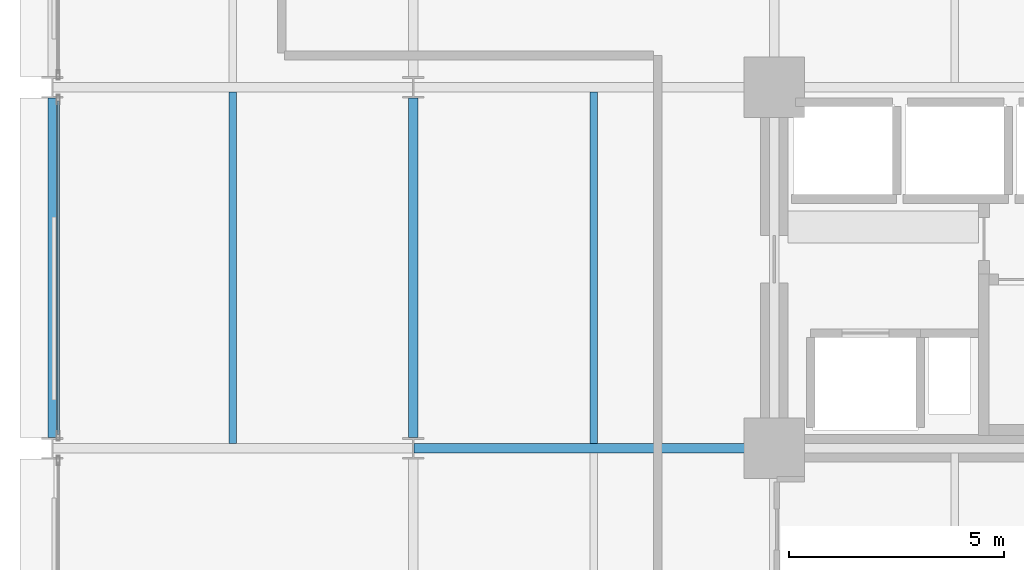
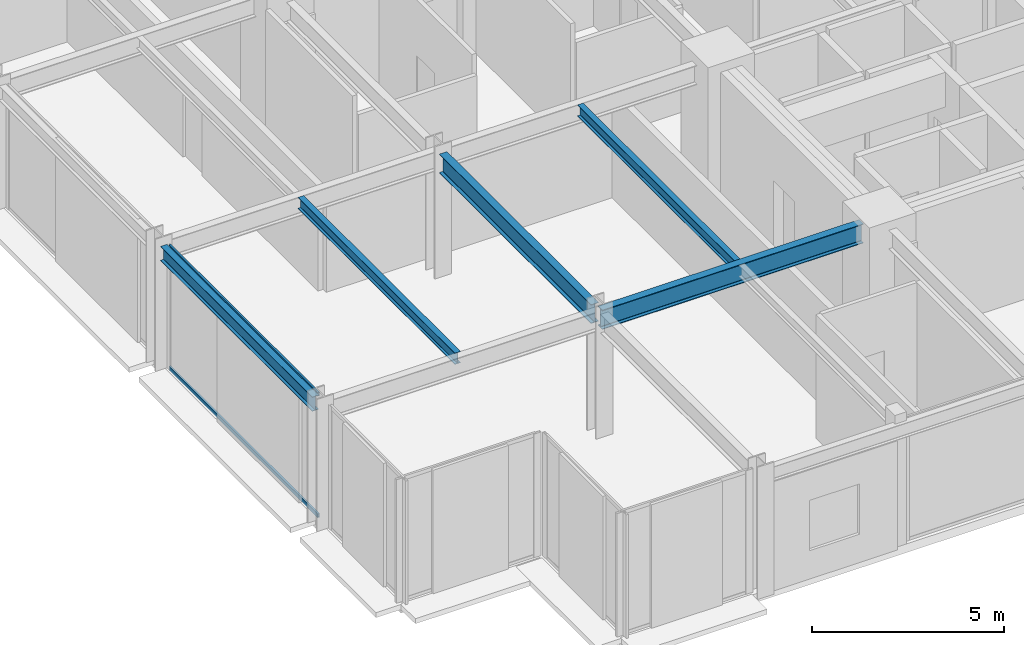
# One storey, part 3 of 25: 5 beams, 2 members, 1 element without a shape of its own.
"""IFC4 building model written with IfcOpenShell, lengths in metres."""

from ifc_helpers import new_model, si_unit, direction, frame, origin, origin_2d, place, context, subcontext, project, spatial, hollow_rectangle, i_section, extrude, material, layer, layer_set, material_profile, profile_set, type_object, element, aggregate, save


model = new_model("IFC4")

# Units and contexts
model_context = context("Model", 3, precision=1e-05, world=origin(), true_north=direction((0.0, 1.0)))
body_context = subcontext(model_context, "Body", "Model", "MODEL_VIEW")
ifc_project = project(units=[si_unit("LENGTHUNIT", "METRE"), si_unit("AREAUNIT", "SQUARE_METRE"), si_unit("VOLUMEUNIT", "CUBIC_METRE"), si_unit("PLANEANGLEUNIT", "RADIAN"), si_unit("MASSUNIT", "GRAM", prefix="KILO")], contexts=[model_context])

# Site, building, storey
site_placement = place(None, origin())
site = spatial("IfcSite", under=ifc_project, at=site_placement, CompositionType="ELEMENT")
building_placement = place(site_placement, origin())
building = spatial("IfcBuilding", under=site, at=building_placement, Name="Nerrivon Quay Data Exchange", CompositionType="ELEMENT")
storey_placement = place(building_placement, frame((0.0, 0.0, 54.199951171875)))
storey = spatial("IfcBuildingStorey", under=building, at=storey_placement, Name="L12", CompositionType="ELEMENT", Elevation=54.199951171875)

# Beams
ifc_material_1 = material(Name="Steel Grade 350", Category="steel")
ifc_material_profile_1 = material_profile(ifc_material_1, i_section(OverallWidth=0.22900390625, OverallDepth=0.612060546875, WebThickness=0.011962890625, FlangeThickness=0.01953125, FilletRadius=0.013916015625, at=origin_2d()), Name="610UB125")
ifc_profile_set_1 = profile_set([ifc_material_profile_1], Name="Steel Grade 350")
beam_type_1 = type_object("IfcBeamType", Name="BM-G1-610UB125", PredefinedType="BEAM", material=ifc_profile_set_1)
beam_1_placement = place(storey_placement, frame((8.4140625, 8.39990234375, 3.619140625), z_axis=(1.0, 0.0, 0.0), x_axis=(0.0, 1.0, 0.0)))
element("IfcBeam", 1, at=beam_1_placement, inside=storey, type_object=beam_type_1, Name="L12 EW Girder Y=8.4 (8.4..16.8)", PredefinedType="BEAM", context=body_context, shape_type="SweptSolid", body=[
    extrude(i_section(OverallWidth=0.22900390625, OverallDepth=0.612060546875, WebThickness=0.011962890625, FlangeThickness=0.01953125, FilletRadius=0.013916015625, at=origin_2d()), origin(), (0.0, 0.0, 1.0), 7.845947265625),
])
ifc_material_profile_2 = material_profile(ifc_material_1, i_section(OverallWidth=0.22802734375, OverallDepth=0.60205078125, WebThickness=0.010498046875, FlangeThickness=0.014892578125, FilletRadius=0.013916015625, at=origin_2d()), Name="610UB101")
ifc_profile_set_2 = profile_set([ifc_material_profile_2], Name="Steel Grade 350")
beam_type_2 = type_object("IfcBeamType", Name="BM-G2-610UB101", PredefinedType="BEAM", material=ifc_profile_set_2)
beam_2_placement = place(storey_placement, frame((8.39990234375, 8.64990234375, 3.6240234375), z_axis=(0.0, 1.0, 0.0), x_axis=(-1.0, 0.0, 0.0)))
element("IfcBeam", 2, at=beam_2_placement, inside=storey, type_object=beam_type_2, Name="L12 NS Girder X=8.4 (8.4..16.8)", PredefinedType="BEAM", context=body_context, shape_type="SweptSolid", body=[
    extrude(i_section(OverallWidth=0.22802734375, OverallDepth=0.60205078125, WebThickness=0.010498046875, FlangeThickness=0.014892578125, FilletRadius=0.013916015625, at=origin_2d()), origin(), (0.0, 0.0, 1.0), 7.900146484375),
])
ifc_material_profile_3 = material_profile(ifc_material_1, i_section(OverallWidth=0.172119140625, OverallDepth=0.35888671875, WebThickness=0.008056640625, FlangeThickness=0.012939453125, FilletRadius=0.011474609375, at=origin_2d()), Name="360UB56.7")
ifc_profile_set_3 = profile_set([ifc_material_profile_3], Name="Steel Grade 350")
beam_type_3 = type_object("IfcBeamType", Name="BM-J3-360UB57", PredefinedType="JOIST", material=ifc_profile_set_3)
for number, where, z_axis, x_axis, name in (
    (3, (4.199951171875, 8.514404296875, 3.74560546875), (0.0, 1.0, 0.0), (-1.0, 0.0, 0.0), "L12 Secondary Joist X=4.2 (8.4..16.8)"),
    (4, (12.60009765625, 8.514404296875, 3.74560546875), (0.0, 1.0, 0.0), (-1.0, 0.0, 0.0), "L12 Secondary Joist X=12.6 (8.4..16.8)"),
):
    element("IfcBeam", number, at=place(storey_placement, frame(where, z_axis=z_axis, x_axis=x_axis)), inside=storey, type_object=beam_type_3, Name=name, PredefinedType="JOIST", context=body_context, shape_type="SweptSolid", body=[
        extrude(i_section(OverallWidth=0.172119140625, OverallDepth=0.35888671875, WebThickness=0.008056640625, FlangeThickness=0.012939453125, FilletRadius=0.011474609375, at=origin_2d()), origin(), (0.0, 0.0, 1.0), 8.171142578125),
    ])
ifc_material_profile_4 = material_profile(ifc_material_1, i_section(OverallWidth=0.18994140625, OverallDepth=0.4541015625, WebThickness=0.008544921875, FlangeThickness=0.0126953125, FilletRadius=0.011474609375, at=origin_2d()), Name="460UB67.1")
ifc_profile_set_4 = profile_set([ifc_material_profile_4], Name="Steel Grade 350")
beam_type_4 = type_object("IfcBeamType", Name="BM-SP1-460UB67", PredefinedType="SPANDREL", material=ifc_profile_set_4)
beam_3_placement = place(storey_placement, frame((0.0, 8.64990234375, 3.697998046875), z_axis=(0.0, 1.0, 0.0), x_axis=(-1.0, 0.0, 0.0)))
element("IfcBeam", 5, at=beam_3_placement, inside=storey, type_object=beam_type_4, Name="L12 NS Girder X=0.0 (8.4..16.8)", PredefinedType="SPANDREL", context=body_context, shape_type="SweptSolid", body=[
    extrude(i_section(OverallWidth=0.18994140625, OverallDepth=0.4541015625, WebThickness=0.008544921875, FlangeThickness=0.0126953125, FilletRadius=0.011474609375, at=origin_2d()), origin(), (0.0, 0.0, 1.0), 7.900146484375),
])

# Curtain wall, members
ifc_material_2 = material(Name="Anodised aluminium 6063-T6", Category="aluminium")
ifc_layer = layer(ifc_material_2, 0.219970703125)
ifc_layer_set = layer_set([ifc_layer], Name="Anodised aluminium 6063-T6")
curtain_wall_type = type_object("IfcCurtainWallType", Name="CW-SYS-01", PredefinedType="NOTDEFINED", material=ifc_layer_set)
curtain_wall_placement = place(storey_placement, origin())
curtain_wall = element("IfcCurtainWall", 6, at=curtain_wall_placement, inside=storey, type_object=curtain_wall_type, Name="L12 Unitised Curtain Wall 14", PredefinedType="NOTDEFINED")
ifc_material_profile_5 = material_profile(ifc_material_2, hollow_rectangle(XDim=0.06005859375, YDim=0.1201171875, WallThickness=0.003173828125, at=origin_2d()), Name="ALU-TRAN-120x60")
ifc_profile_set_5 = profile_set([ifc_material_profile_5], Name="Anodised aluminium 6063-T6")
member_type = type_object("IfcMemberType", Name="CWT-120x60", PredefinedType="USERDEFINED", material=ifc_profile_set_5)
member_1_placement = place(storey_placement, frame((0.139892578125, 8.72509765625, 0.032470703125), z_axis=(0.0, 1.0, 0.0), x_axis=(-1.0, 0.0, 0.0)))
member_1 = element("IfcMember", 7, at=member_1_placement, type_object=member_type, Name="CW01 transom 1.1", ObjectType="TRANSOM", PredefinedType="USERDEFINED", context=body_context, shape_type="SweptSolid", body=[
    extrude(hollow_rectangle(XDim=0.06005859375, YDim=0.1201171875, WallThickness=0.003173828125, at=origin_2d()), origin(), (0.0, 0.0, 1.0), 7.75),
])
member_2_placement = place(storey_placement, frame((0.139892578125, 8.72509765625, 3.892578125), z_axis=(0.0, 1.0, 0.0), x_axis=(-1.0, 0.0, 0.0)))
member_2 = element("IfcMember", 8, at=member_2_placement, type_object=member_type, Name="CW01 transom 1.2", ObjectType="TRANSOM", PredefinedType="USERDEFINED", context=body_context, shape_type="SweptSolid", body=[
    extrude(hollow_rectangle(XDim=0.06005859375, YDim=0.1201171875, WallThickness=0.003173828125, at=origin_2d()), origin(), (0.0, 0.0, 1.0), 7.75),
])
aggregate(curtain_wall, [member_1, member_2])

save(model, "model.ifc")
